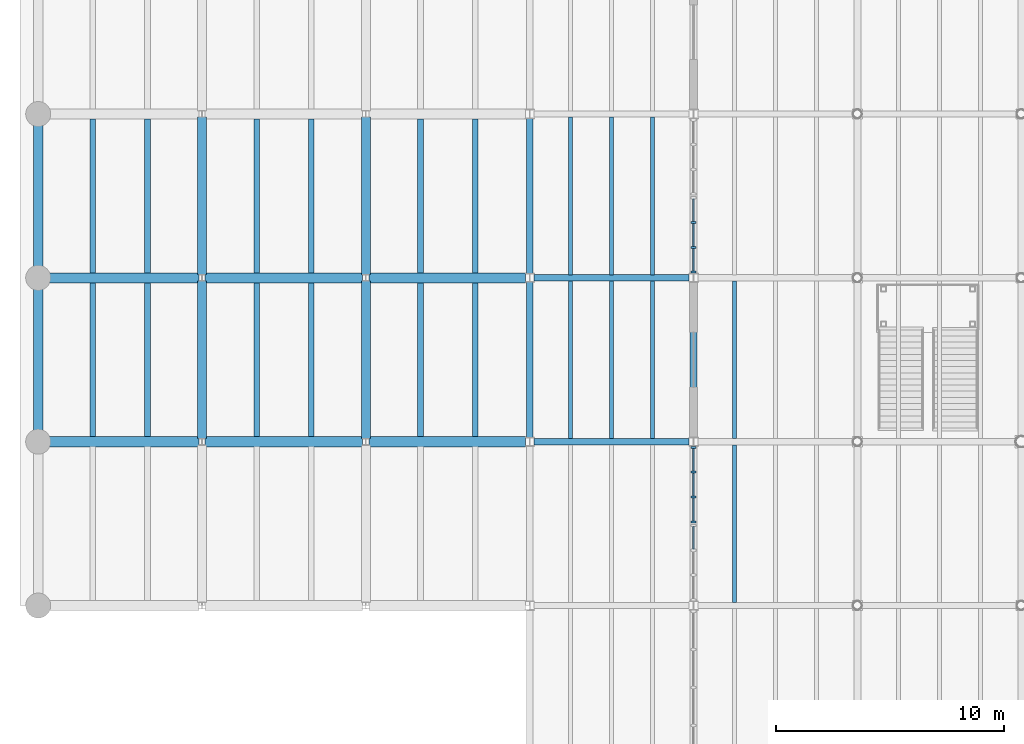
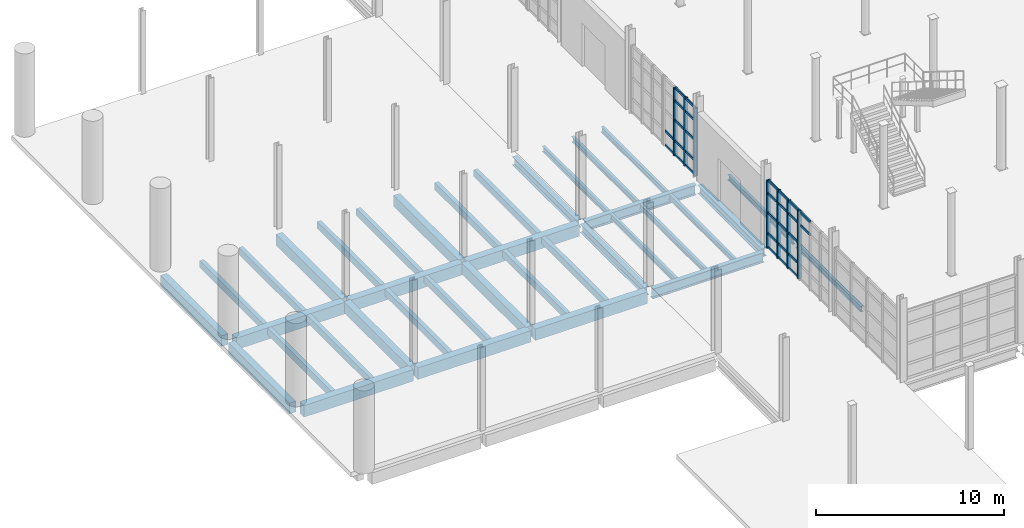
# One storey, part 21 of 79: 37 beams, 36 members, 3 elements without a shape of their own.
"""IFC4 building model written with IfcOpenShell, lengths in metres."""

import ifcopenshell
import ifcopenshell.guid

model = None  # the IFC model being written
_history = None  # IfcOwnerHistory: only IFC2X3 demands one
_inside = {}  # id of a spatial element -> (the spatial element, [elements in it])
_under = {}  # id of a project, library or spatial element -> (it, [spatial elements below it])
_declared = {}  # id of a project -> (the project, [libraries it declares])
_typed = {}  # id of a type object -> (the type object, [elements of that type])
_made_of = {}  # id of a material, layer set ... -> (it, [elements and type objects made of it])


def new_model(schema):
    """Start an empty IFC model of exactly this schema.

    Asked for "IFC4X3", IfcOpenShell would pick the latest addendum, in which some entities
    have other attributes; the version numbers below select the first issue.
    IFC2X3 requires an IfcOwnerHistory on every rooted entity: one is made here for all.
    """
    global model, _history
    if schema == "IFC4X3":
        model = ifcopenshell.file(schema_version=(4, 3, 0, 0))
    else:
        model = ifcopenshell.file(schema=schema)
    _inside.clear()
    _under.clear()
    _declared.clear()
    _typed.clear()
    _made_of.clear()
    _history = None
    if model.schema == "IFC2X3":
        org = make("IfcOrganization", Name="unknown")
        user = make(
            "IfcPersonAndOrganization",
            ThePerson=make("IfcPerson", FamilyName="unknown"),
            TheOrganization=org,
        )
        app = make(
            "IfcApplication",
            ApplicationDeveloper=org,
            Version="unknown",
            ApplicationFullName="unknown",
            ApplicationIdentifier="unknown",
        )
        _history = make(
            "IfcOwnerHistory",
            OwningUser=user,
            OwningApplication=app,
            ChangeAction="ADDED",
            CreationDate=0,
        )
    return model


def make(cls, **values):
    """One entity of the class cls with the attributes given. An attribute that is None is left unset."""
    return model.create_entity(
        cls, **{name: value for name, value in values.items() if value is not None}
    )


def rooted(cls, **values):
    """An entity with a GlobalId (a new one), such as an element, a storey or a relation."""
    return make(cls, GlobalId=ifcopenshell.guid.new(), OwnerHistory=_history, **values)


def si_unit(unit_type, name, prefix=None):
    """IfcSIUnit, for example si_unit("LENGTHUNIT", "METRE", prefix="MILLI")."""
    return make("IfcSIUnit", UnitType=unit_type, Prefix=prefix, Name=name)


def assignment(units):
    """IfcUnitAssignment: the units of a project."""
    return None if units is None else make("IfcUnitAssignment", Units=units)


def point(xyz):
    """IfcCartesianPoint."""
    return None if xyz is None else make("IfcCartesianPoint", Coordinates=xyz)


def direction(xyz):
    """IfcDirection."""
    return None if xyz is None else make("IfcDirection", DirectionRatios=xyz)


def frame(location, z_axis=None, x_axis=None):
    """IfcAxis2Placement3D, a coordinate frame: its origin and axes. An axis left out is left unset."""
    return make(
        "IfcAxis2Placement3D",
        Location=point(location),
        Axis=direction(z_axis),
        RefDirection=direction(x_axis),
    )


def frame_2d(location, x_axis=None):
    """IfcAxis2Placement2D, a coordinate frame in the plane: its origin and x axis."""
    return make(
        "IfcAxis2Placement2D", Location=point(location), RefDirection=direction(x_axis)
    )


def origin():
    """The frame at (0, 0, 0) with its axes left unset."""
    return frame((0.0, 0.0, 0.0))


def origin_2d():
    """The frame at (0, 0) in the plane with its x axis left unset."""
    return frame_2d((0.0, 0.0))


def place(relative_to, where):
    """IfcLocalPlacement: puts the frame where relative to a parent placement (None: the world)."""
    return make(
        "IfcLocalPlacement", PlacementRelTo=relative_to, RelativePlacement=where
    )


def context(
    kind, dimensions, precision=None, world=None, true_north=None, identifier=None
):
    """IfcGeometricRepresentationContext, for example the 3D "Model" context."""
    return make(
        "IfcGeometricRepresentationContext",
        ContextIdentifier=identifier,
        ContextType=kind,
        CoordinateSpaceDimension=dimensions,
        Precision=precision,
        WorldCoordinateSystem=world,
        TrueNorth=true_north,
    )


def subcontext(parent, identifier, kind, view, scale=None):
    """IfcGeometricRepresentationSubContext, for example "Body" below "Model"."""
    return make(
        "IfcGeometricRepresentationSubContext",
        ContextIdentifier=identifier,
        ContextType=kind,
        ParentContext=parent,
        TargetScale=scale,
        TargetView=view,
    )


def project(units=None, contexts=None):
    """IfcProject with its units and contexts."""
    return rooted(
        "IfcProject",
        Name="project",
        RepresentationContexts=contexts,
        UnitsInContext=assignment(units),
    )


def spatial(cls, under=None, at=None, **own):
    """A site, building, storey or space (cls), placed at a placement, below another one or the project."""
    s = rooted(cls, ObjectPlacement=at, **own)
    if under is not None:
        _under.setdefault(under.id(), (under, []))[1].append(s)
    return s


def profile(cls, at=None, kind="AREA", **sizes):
    """A parametric profile (cls). Its sizes go by their IFC names, for example OverallWidth=200.0."""
    return make(cls, ProfileType=kind, Position=at, **sizes)


def rectangle(**sizes):
    """IfcRectangleProfileDef."""
    return profile("IfcRectangleProfileDef", **sizes)


def i_section(**sizes):
    """IfcIShapeProfileDef."""
    return profile("IfcIShapeProfileDef", **sizes)


def extrude(swept, where, along, depth):
    """IfcExtrudedAreaSolid: the profile swept, set in the frame where, extruded along a direction by depth."""
    return make(
        "IfcExtrudedAreaSolid",
        SweptArea=swept,
        Position=where,
        ExtrudedDirection=direction(along),
        Depth=depth,
    )


def shape(context_of_items, identifier, shape_type, items):
    """IfcShapeRepresentation: the items that make up one representation, for example the "Body"."""
    return make(
        "IfcShapeRepresentation",
        ContextOfItems=context_of_items,
        RepresentationIdentifier=identifier,
        RepresentationType=shape_type,
        Items=items,
    )


def material(Name=None, Category=None):
    """IfcMaterial."""
    return make("IfcMaterial", Name=Name, Category=Category)


def material_profile(
    of_material, cross_section, Name=None, Category=None, Priority=None
):
    """IfcMaterialProfile: a cross section and its material."""
    return make(
        "IfcMaterialProfile",
        Name=Name,
        Material=of_material,
        Profile=cross_section,
        Priority=Priority,
        Category=Category,
    )


def profile_set(profiles, Name=None, composite=None):
    """IfcMaterialProfileSet."""
    return make(
        "IfcMaterialProfileSet",
        Name=Name,
        MaterialProfiles=profiles,
        CompositeProfile=composite,
    )


def made_of(thing, what):
    """Note that an element or type object is made of a material, layer set ...; save() writes the relation."""
    if what is not None:
        _made_of.setdefault(what.id(), (what, []))[1].append(thing)
    return thing


def type_object(cls, material=None, **own):
    """A type object (cls), such as IfcWallType, which elements share."""
    return made_of(rooted(cls, **own), material)


def element(
    cls,
    number,
    at=None,
    inside=None,
    cuts=None,
    type_object=None,
    material=None,
    context=None,
    identifier="Body",
    shape_type=None,
    held_by="IfcProductDefinitionShape",
    body=None,
    shapes=None,
    **own,
):
    """One element of the class cls, such as IfcWall. Its Tag is "e" and its number.

    at: its placement. inside: the storey or other place that contains it. cuts: it is an
    opening in that element (IfcRelVoidsElement). A single representation is given by context,
    identifier, shape_type and body (its items); several are given by shapes. held_by: the class
    of the entity that holds the representations. save() writes the other relations.
    """
    e = rooted(cls, Tag="e%d" % number, ObjectPlacement=at, **own)
    if body is not None:
        shapes = [shape(context, identifier, shape_type, body)]
    if shapes is not None:
        e.Representation = make(held_by, Representations=shapes)
    if inside is not None:
        _inside.setdefault(inside.id(), (inside, []))[1].append(e)
    if cuts is not None:
        rooted(
            "IfcRelVoidsElement", RelatingBuildingElement=cuts, RelatedOpeningElement=e
        )
    if type_object is not None:
        _typed.setdefault(type_object.id(), (type_object, []))[1].append(e)
    return made_of(e, material)


def aggregate(whole, parts):
    """IfcRelAggregates: a whole, such as a stair, and the parts it consists of."""
    return rooted("IfcRelAggregates", RelatingObject=whole, RelatedObjects=parts)


def save(model, path):
    """Write the relations noted so far, then the file.

    IfcRelAggregates (storeys below a building ...), IfcRelContainedInSpatialStructure (elements
    in a storey), IfcRelDefinesByType, IfcRelAssociatesMaterial and IfcRelDeclares: one each for
    every whole, place, type object, material and project.
    """
    for whole, parts in _under.values():
        aggregate(whole, parts)
    for where, things in _inside.values():
        rooted(
            "IfcRelContainedInSpatialStructure",
            RelatedElements=things,
            RelatingStructure=where,
        )
    for kind, things in _typed.values():
        rooted("IfcRelDefinesByType", RelatedObjects=things, RelatingType=kind)
    for what, things in _made_of.values():
        rooted("IfcRelAssociatesMaterial", RelatedObjects=things, RelatingMaterial=what)
    for by, libraries in _declared.values():
        rooted("IfcRelDeclares", RelatingContext=by, RelatedDefinitions=libraries)
    model.write(path)


model = new_model("IFC4")

# Units and contexts
model_context = context("Model", 3, precision=1e-05, world=origin(), true_north=direction((0.0, 1.0)))
body_context = subcontext(model_context, "Body", "Model", "MODEL_VIEW")
ifc_project = project(units=[si_unit("LENGTHUNIT", "METRE"), si_unit("AREAUNIT", "SQUARE_METRE"), si_unit("VOLUMEUNIT", "CUBIC_METRE"), si_unit("PLANEANGLEUNIT", "RADIAN"), si_unit("MASSUNIT", "GRAM", prefix="KILO")], contexts=[model_context])

# Site, building, storey
site_placement = place(None, origin())
site = spatial("IfcSite", under=ifc_project, at=site_placement, CompositionType="ELEMENT")
building_placement = place(site_placement, origin())
building = spatial("IfcBuilding", under=site, at=building_placement, Name="Qiaolan Assembly House", CompositionType="ELEMENT")
storey_placement = place(building_placement, origin())
storey = spatial("IfcBuildingStorey", under=building, at=storey_placement, Name="L00", CompositionType="ELEMENT", Elevation=0.0)

# Beams
ifc_material_1 = material(Name="Concrete C40/50", Category="concrete")
ifc_material_profile_1 = material_profile(ifc_material_1, rectangle(XDim=0.39990234375, YDim=0.699951171875, at=origin_2d()), Name="RCB 400x700")
ifc_profile_set_1 = profile_set([ifc_material_profile_1], Name="Concrete C40/50")
beam_type_1 = type_object("IfcBeamType", Name="BM-RC-400x700", PredefinedType="BEAM", material=ifc_profile_set_1)
beam_1_placement = place(storey_placement, frame((0.0, 50.764892578125, -0.64990234375), z_axis=(0.0, 1.0, 0.0), x_axis=(-1.0, 0.0, 0.0)))
element("IfcBeam", 1, at=beam_1_placement, inside=storey, type_object=beam_type_1, Name="GB-05 beam BMY-PT0-L00-00-01", PredefinedType="BEAM", context=body_context, shape_type="SweptSolid", body=[
    extrude(rectangle(XDim=0.39990234375, YDim=0.699951171875, at=origin_2d()), origin(), (0.0, 0.0, 1.0), 6.47021484375),
])
beam_2_placement = place(storey_placement, frame((0.0, 57.965087890625, -0.64990234375), z_axis=(0.0, 1.0, 0.0), x_axis=(-1.0, 0.0, 0.0)))
element("IfcBeam", 2, at=beam_2_placement, inside=storey, type_object=beam_type_1, Name="GB-05 beam BMY-PT0-L00-00-02", PredefinedType="BEAM", context=body_context, shape_type="SweptSolid", body=[
    extrude(rectangle(XDim=0.39990234375, YDim=0.699951171875, at=origin_2d()), origin(), (0.0, 0.0, 1.0), 6.469970703125),
])
for number, where, z_axis, x_axis, name in (
    (3, (7.199951171875, 50.5400390625, -0.64990234375), (0.0, 1.0, 0.0), (-1.0, 0.0, 0.0), "GB-05 beam BMY-PT0-L00-01-01"),
    (4, (7.199951171875, 57.739990234375, -0.64990234375), (0.0, 1.0, 0.0), (-1.0, 0.0, 0.0), "GB-05 beam BMY-PT0-L00-01-02"),
    (5, (14.39990234375, 50.5400390625, -0.64990234375), (0.0, 1.0, 0.0), (-1.0, 0.0, 0.0), "GB-05 beam BMY-PT0-L00-02-01"),
    (6, (14.39990234375, 57.739990234375, -0.64990234375), (0.0, 1.0, 0.0), (-1.0, 0.0, 0.0), "GB-05 beam BMY-PT0-L00-02-02"),
):
    element("IfcBeam", number, at=place(storey_placement, frame(where, z_axis=z_axis, x_axis=x_axis)), inside=storey, type_object=beam_type_1, Name=name, PredefinedType="BEAM", context=body_context, shape_type="SweptSolid", body=[
        extrude(rectangle(XDim=0.39990234375, YDim=0.699951171875, at=origin_2d()), origin(), (0.0, 0.0, 1.0), 6.919921875),
    ])
ifc_material_profile_2 = material_profile(ifc_material_1, rectangle(XDim=0.449951171875, YDim=0.75, at=origin_2d()), Name="RCB 450x750")
ifc_profile_set_2 = profile_set([ifc_material_profile_2], Name="Concrete C40/50")
beam_type_2 = type_object("IfcBeamType", Name="BM-RC-450x750", PredefinedType="BEAM", material=ifc_profile_set_2)
beam_3_placement = place(storey_placement, frame((0.364990234375, 50.39990234375, -0.675048828125), z_axis=(1.0, 0.0, 0.0), x_axis=(0.0, 1.0, 0.0)))
element("IfcBeam", 7, at=beam_3_placement, inside=storey, type_object=beam_type_2, Name="GB-04 beam BMX-PT0-L00-00-01", PredefinedType="BEAM", context=body_context, shape_type="SweptSolid", body=[
    extrude(rectangle(XDim=0.449951171875, YDim=0.75, at=origin_2d()), origin(), (0.0, 0.0, 1.0), 6.695068359375),
])
beam_4_placement = place(storey_placement, frame((7.340087890625, 50.39990234375, -0.675048828125), z_axis=(1.0, 0.0, 0.0), x_axis=(0.0, 1.0, 0.0)))
element("IfcBeam", 8, at=beam_4_placement, inside=storey, type_object=beam_type_2, Name="GB-04 beam BMX-PT0-L00-01-01", PredefinedType="BEAM", context=body_context, shape_type="SweptSolid", body=[
    extrude(rectangle(XDim=0.449951171875, YDim=0.75, at=origin_2d()), origin(), (0.0, 0.0, 1.0), 6.919921875),
])
beam_5_placement = place(storey_placement, frame((14.5400390625, 50.39990234375, -0.675048828125), z_axis=(1.0, 0.0, 0.0), x_axis=(0.0, 1.0, 0.0)))
element("IfcBeam", 9, at=beam_5_placement, inside=storey, type_object=beam_type_2, Name="GB-04 beam BMX-PT0-L00-02-01", PredefinedType="BEAM", context=body_context, shape_type="SweptSolid", body=[
    extrude(rectangle(XDim=0.449951171875, YDim=0.75, at=origin_2d()), origin(), (0.0, 0.0, 1.0), 6.869873046875),
])
beam_6_placement = place(storey_placement, frame((0.364990234375, 57.60009765625, -0.675048828125), z_axis=(1.0, 0.0, 0.0), x_axis=(0.0, 1.0, 0.0)))
element("IfcBeam", 10, at=beam_6_placement, inside=storey, type_object=beam_type_2, Name="GB-04 beam BMX-PT0-L00-00-02", PredefinedType="BEAM", context=body_context, shape_type="SweptSolid", body=[
    extrude(rectangle(XDim=0.449951171875, YDim=0.75, at=origin_2d()), origin(), (0.0, 0.0, 1.0), 6.695068359375),
])
beam_7_placement = place(storey_placement, frame((7.340087890625, 57.60009765625, -0.675048828125), z_axis=(1.0, 0.0, 0.0), x_axis=(0.0, 1.0, 0.0)))
element("IfcBeam", 11, at=beam_7_placement, inside=storey, type_object=beam_type_2, Name="GB-04 beam BMX-PT0-L00-01-02", PredefinedType="BEAM", context=body_context, shape_type="SweptSolid", body=[
    extrude(rectangle(XDim=0.449951171875, YDim=0.75, at=origin_2d()), origin(), (0.0, 0.0, 1.0), 6.919921875),
])
beam_8_placement = place(storey_placement, frame((14.5400390625, 57.60009765625, -0.675048828125), z_axis=(1.0, 0.0, 0.0), x_axis=(0.0, 1.0, 0.0)))
element("IfcBeam", 12, at=beam_8_placement, inside=storey, type_object=beam_type_2, Name="GB-04 beam BMX-PT0-L00-02-02", PredefinedType="BEAM", context=body_context, shape_type="SweptSolid", body=[
    extrude(rectangle(XDim=0.449951171875, YDim=0.75, at=origin_2d()), origin(), (0.0, 0.0, 1.0), 6.869873046875),
])
ifc_material_2 = material(Name="Steel Q355B", Category="steel")
ifc_material_profile_3 = material_profile(ifc_material_2, i_section(OverallWidth=0.300048828125, OverallDepth=0.5400390625, WebThickness=0.010986328125, FlangeThickness=0.01806640625, FilletRadius=0.02001953125, at=origin_2d()), Name="HM 540x300x11x18")
ifc_profile_set_3 = profile_set([ifc_material_profile_3], Name="Steel Q355B")
beam_type_3 = type_object("IfcBeamType", Name="BM-STL-HM540", PredefinedType="BEAM", material=ifc_profile_set_3)
beam_9_placement = place(storey_placement, frame((21.60009765625, 50.590087890625, -0.570068359375), z_axis=(0.0, 1.0, 0.0), x_axis=(-1.0, 0.0, 0.0)))
element("IfcBeam", 13, at=beam_9_placement, inside=storey, type_object=beam_type_3, Name="SB-12 beam BMY-HL-L00-00-02", PredefinedType="BEAM", context=body_context, shape_type="SweptSolid", body=[
    extrude(i_section(OverallWidth=0.300048828125, OverallDepth=0.5400390625, WebThickness=0.010986328125, FlangeThickness=0.01806640625, FilletRadius=0.02001953125, at=origin_2d()), origin(), (0.0, 0.0, 1.0), 6.81982421875),
])
beam_10_placement = place(storey_placement, frame((21.60009765625, 57.7900390625, -0.570068359375), z_axis=(0.0, 1.0, 0.0), x_axis=(-1.0, 0.0, 0.0)))
element("IfcBeam", 14, at=beam_10_placement, inside=storey, type_object=beam_type_3, Name="SB-12 beam BMY-HL-L00-00-03", PredefinedType="BEAM", context=body_context, shape_type="SweptSolid", body=[
    extrude(i_section(OverallWidth=0.300048828125, OverallDepth=0.5400390625, WebThickness=0.010986328125, FlangeThickness=0.01806640625, FilletRadius=0.02001953125, at=origin_2d()), origin(), (0.0, 0.0, 1.0), 6.820068359375),
])
beam_11_placement = place(storey_placement, frame((28.800048828125, 50.590087890625, -0.570068359375), z_axis=(0.0, 1.0, 0.0), x_axis=(-1.0, 0.0, 0.0)))
element("IfcBeam", 15, at=beam_11_placement, inside=storey, type_object=beam_type_3, Name="SB-12 beam BMY-HL-L00-01-02", PredefinedType="BEAM", context=body_context, shape_type="SweptSolid", body=[
    extrude(i_section(OverallWidth=0.300048828125, OverallDepth=0.5400390625, WebThickness=0.010986328125, FlangeThickness=0.01806640625, FilletRadius=0.02001953125, at=origin_2d()), origin(), (0.0, 0.0, 1.0), 6.81982421875),
])
ifc_material_profile_4 = material_profile(ifc_material_2, i_section(OverallWidth=0.280029296875, OverallDepth=0.64990234375, WebThickness=0.011962890625, FlangeThickness=0.02197265625, FilletRadius=0.02197265625, at=origin_2d()), Name="HN 650x280x12x22")
ifc_profile_set_4 = profile_set([ifc_material_profile_4], Name="Steel Q355B")
beam_type_4 = type_object("IfcBeamType", Name="BM-STL-HN650", PredefinedType="BEAM", material=ifc_profile_set_4)
for number, where, z_axis, x_axis, name in (
    (16, (21.7900390625, 50.39990234375, -0.625), (1.0, 0.0, 0.0), (0.0, 1.0, 0.0), "SB-10 beam BMX-HL-L00-00-02"),
    (17, (21.7900390625, 57.60009765625, -0.625), (1.0, 0.0, 0.0), (0.0, 1.0, 0.0), "SB-10 beam BMX-HL-L00-00-03"),
):
    element("IfcBeam", number, at=place(storey_placement, frame(where, z_axis=z_axis, x_axis=x_axis)), inside=storey, type_object=beam_type_4, Name=name, PredefinedType="BEAM", context=body_context, shape_type="SweptSolid", body=[
        extrude(i_section(OverallWidth=0.280029296875, OverallDepth=0.64990234375, WebThickness=0.011962890625, FlangeThickness=0.02197265625, FilletRadius=0.02197265625, at=origin_2d()), origin(), (0.0, 0.0, 1.0), 6.820068359375),
    ])

# Curtain wall, members
ifc_material_3 = material(Name="Anodised bronze aluminium", Category="aluminium")
curtain_wall_type = type_object("IfcCurtainWallType", Name="CW-HALL-MAIN-540", PredefinedType="NOTDEFINED", material=ifc_material_3)
curtain_wall_1_placement = place(storey_placement, origin())
curtain_wall_1 = element("IfcCurtainWall", 18, at=curtain_wall_1_placement, inside=storey, type_object=curtain_wall_type, Name="CW-01 Hall West facade L00-1B", PredefinedType="NOTDEFINED")
ifc_material_profile_5 = material_profile(ifc_material_3, rectangle(XDim=0.092041015625, YDim=0.219970703125, at=origin_2d()), Name="MUL 92x220")
ifc_profile_set_5 = profile_set([ifc_material_profile_5], Name="Anodised bronze aluminium")
member_type_1 = type_object("IfcMemberType", Name="CW-HALL-MAIN-540-MUL", PredefinedType="MULLION", material=ifc_profile_set_5)
member_1_placement = place(storey_placement, frame((28.800048828125, 46.8798828125, 0.0), z_axis=(0.0, 0.0, 1.0), x_axis=(0.0, 1.0, 0.0)))
member_1 = element("IfcMember", 19, at=member_1_placement, type_object=member_type_1, Name="ML-01 mullion CW-HALL-W-L00-1B-1", PredefinedType="MULLION", context=body_context, shape_type="SweptSolid", body=[
    extrude(rectangle(XDim=0.092041015625, YDim=0.219970703125, at=origin_2d()), origin(), (0.0, 0.0, 1.0), 4.39990234375),
])
member_2_placement = place(storey_placement, frame((28.800048828125, 47.969970703125, 0.0), z_axis=(0.0, 0.0, 1.0), x_axis=(0.0, 1.0, 0.0)))
member_2 = element("IfcMember", 20, at=member_2_placement, type_object=member_type_1, Name="ML-01 mullion CW-HALL-W-L00-1B-2", PredefinedType="MULLION", context=body_context, shape_type="SweptSolid", body=[
    extrude(rectangle(XDim=0.092041015625, YDim=0.219970703125, at=origin_2d()), origin(), (0.0, 0.0, 1.0), 4.39990234375),
])
member_3_placement = place(storey_placement, frame((28.800048828125, 49.06005859375, 0.0), z_axis=(0.0, 0.0, 1.0), x_axis=(0.0, 1.0, 0.0)))
member_3 = element("IfcMember", 21, at=member_3_placement, type_object=member_type_1, Name="ML-01 mullion CW-HALL-W-L00-1B-3", PredefinedType="MULLION", context=body_context, shape_type="SweptSolid", body=[
    extrude(rectangle(XDim=0.092041015625, YDim=0.219970703125, at=origin_2d()), origin(), (0.0, 0.0, 1.0), 4.39990234375),
])
member_4_placement = place(storey_placement, frame((28.800048828125, 50.14990234375, 0.0), z_axis=(0.0, 0.0, 1.0), x_axis=(0.0, 1.0, 0.0)))
member_4 = element("IfcMember", 22, at=member_4_placement, type_object=member_type_1, Name="ML-01 mullion CW-HALL-W-L00-1B-4", PredefinedType="MULLION", context=body_context, shape_type="SweptSolid", body=[
    extrude(rectangle(XDim=0.092041015625, YDim=0.219970703125, at=origin_2d()), origin(), (0.0, 0.0, 1.0), 4.39990234375),
])

curtain_wall_2_placement = place(storey_placement, origin())
curtain_wall_2 = element("IfcCurtainWall", 23, at=curtain_wall_2_placement, inside=storey, type_object=curtain_wall_type, Name="CW-01 Hall West facade L00-3A", PredefinedType="NOTDEFINED")
member_5_placement = place(storey_placement, frame((28.800048828125, 57.85009765625, 0.0), z_axis=(0.0, 0.0, 1.0), x_axis=(0.0, 1.0, 0.0)))
member_5 = element("IfcMember", 24, at=member_5_placement, type_object=member_type_1, Name="ML-01 mullion CW-HALL-W-L00-3A-1", PredefinedType="MULLION", context=body_context, shape_type="SweptSolid", body=[
    extrude(rectangle(XDim=0.092041015625, YDim=0.219970703125, at=origin_2d()), origin(), (0.0, 0.0, 1.0), 4.39990234375),
])
member_6_placement = place(storey_placement, frame((28.800048828125, 58.93994140625, 0.0), z_axis=(0.0, 0.0, 1.0), x_axis=(0.0, 1.0, 0.0)))
member_6 = element("IfcMember", 25, at=member_6_placement, type_object=member_type_1, Name="ML-01 mullion CW-HALL-W-L00-3A-2", PredefinedType="MULLION", context=body_context, shape_type="SweptSolid", body=[
    extrude(rectangle(XDim=0.092041015625, YDim=0.219970703125, at=origin_2d()), origin(), (0.0, 0.0, 1.0), 4.39990234375),
])
member_7_placement = place(storey_placement, frame((28.800048828125, 60.030029296875, 0.0), z_axis=(0.0, 0.0, 1.0), x_axis=(0.0, 1.0, 0.0)))
member_7 = element("IfcMember", 26, at=member_7_placement, type_object=member_type_1, Name="ML-01 mullion CW-HALL-W-L00-3A-3", PredefinedType="MULLION", context=body_context, shape_type="SweptSolid", body=[
    extrude(rectangle(XDim=0.092041015625, YDim=0.219970703125, at=origin_2d()), origin(), (0.0, 0.0, 1.0), 4.39990234375),
])

curtain_wall_3_placement = place(storey_placement, origin())
curtain_wall_3 = element("IfcCurtainWall", 27, at=curtain_wall_3_placement, inside=storey, type_object=curtain_wall_type, Name="CW-01 Hall West facade L00-1A", PredefinedType="NOTDEFINED")
ifc_material_profile_6 = material_profile(ifc_material_3, rectangle(XDim=0.08203125, YDim=0.159912109375, at=origin_2d()), Name="TRN 82x160")
ifc_profile_set_6 = profile_set([ifc_material_profile_6], Name="Anodised bronze aluminium")
member_type_2 = type_object("IfcMemberType", Name="CW-HALL-MAIN-540-TRN", PredefinedType="USERDEFINED", material=ifc_profile_set_6)
member_8_placement = place(storey_placement, frame((28.800048828125, 45.676025390625, 3.550048828125), z_axis=(0.0, 1.0, 0.0), x_axis=(-1.0, 0.0, 0.0)))
member_8 = element("IfcMember", 28, at=member_8_placement, type_object=member_type_2, Name="TR-01 transom CW-HALL-W-L00-1A-3-4", ObjectType="TRANSOM", PredefinedType="USERDEFINED", context=body_context, shape_type="SweptSolid", body=[
    extrude(rectangle(XDim=0.08203125, YDim=0.159912109375, at=origin_2d()), origin(), (0.0, 0.0, 1.0), 0.998046875),
])
member_9_placement = place(storey_placement, frame((28.800048828125, 45.676025390625, 4.3701171875), z_axis=(0.0, 1.0, 0.0), x_axis=(-1.0, 0.0, 0.0)))
member_9 = element("IfcMember", 29, at=member_9_placement, type_object=member_type_2, Name="TR-01 transom CW-HALL-W-L00-1A-3-5", ObjectType="TRANSOM", PredefinedType="USERDEFINED", context=body_context, shape_type="SweptSolid", body=[
    extrude(rectangle(XDim=0.08203125, YDim=0.159912109375, at=origin_2d()), origin(), (0.0, 0.0, 1.0), 0.998046875),
])
aggregate(curtain_wall_3, [member_8, member_9])

# Member
member_10_placement = place(storey_placement, frame((28.800048828125, 46.926025390625, 0.030029296875), z_axis=(0.0, 1.0, 0.0), x_axis=(-1.0, 0.0, 0.0)))
member_10 = element("IfcMember", 30, at=member_10_placement, type_object=member_type_2, Name="TR-01 transom CW-HALL-W-L00-1B-1-1", ObjectType="TRANSOM", PredefinedType="USERDEFINED", context=body_context, shape_type="SweptSolid", body=[
    extrude(rectangle(XDim=0.08203125, YDim=0.159912109375, at=origin_2d()), origin(), (0.0, 0.0, 1.0), 0.998046875),
])

member_11_placement = place(storey_placement, frame((28.800048828125, 46.926025390625, 0.949951171875), z_axis=(0.0, 1.0, 0.0), x_axis=(-1.0, 0.0, 0.0)))
member_11 = element("IfcMember", 31, at=member_11_placement, type_object=member_type_2, Name="TR-01 transom CW-HALL-W-L00-1B-1-2", ObjectType="TRANSOM", PredefinedType="USERDEFINED", context=body_context, shape_type="SweptSolid", body=[
    extrude(rectangle(XDim=0.08203125, YDim=0.159912109375, at=origin_2d()), origin(), (0.0, 0.0, 1.0), 0.998046875),
])

member_12_placement = place(storey_placement, frame((28.800048828125, 46.926025390625, 2.2880859375), z_axis=(0.0, 1.0, 0.0), x_axis=(-1.0, 0.0, 0.0)))
member_12 = element("IfcMember", 32, at=member_12_placement, type_object=member_type_2, Name="TR-01 transom CW-HALL-W-L00-1B-1-3", ObjectType="TRANSOM", PredefinedType="USERDEFINED", context=body_context, shape_type="SweptSolid", body=[
    extrude(rectangle(XDim=0.08203125, YDim=0.159912109375, at=origin_2d()), origin(), (0.0, 0.0, 1.0), 0.998046875),
])

member_13_placement = place(storey_placement, frame((28.800048828125, 46.926025390625, 3.550048828125), z_axis=(0.0, 1.0, 0.0), x_axis=(-1.0, 0.0, 0.0)))
member_13 = element("IfcMember", 33, at=member_13_placement, type_object=member_type_2, Name="TR-01 transom CW-HALL-W-L00-1B-1-4", ObjectType="TRANSOM", PredefinedType="USERDEFINED", context=body_context, shape_type="SweptSolid", body=[
    extrude(rectangle(XDim=0.08203125, YDim=0.159912109375, at=origin_2d()), origin(), (0.0, 0.0, 1.0), 0.998046875),
])

member_14_placement = place(storey_placement, frame((28.800048828125, 46.926025390625, 4.3701171875), z_axis=(0.0, 1.0, 0.0), x_axis=(-1.0, 0.0, 0.0)))
member_14 = element("IfcMember", 34, at=member_14_placement, type_object=member_type_2, Name="TR-01 transom CW-HALL-W-L00-1B-1-5", ObjectType="TRANSOM", PredefinedType="USERDEFINED", context=body_context, shape_type="SweptSolid", body=[
    extrude(rectangle(XDim=0.08203125, YDim=0.159912109375, at=origin_2d()), origin(), (0.0, 0.0, 1.0), 0.998046875),
])

member_15_placement = place(storey_placement, frame((28.800048828125, 48.01611328125, 0.030029296875), z_axis=(0.0, 1.0, 0.0), x_axis=(-1.0, 0.0, 0.0)))
member_15 = element("IfcMember", 35, at=member_15_placement, type_object=member_type_2, Name="TR-01 transom CW-HALL-W-L00-1B-2-1", ObjectType="TRANSOM", PredefinedType="USERDEFINED", context=body_context, shape_type="SweptSolid", body=[
    extrude(rectangle(XDim=0.08203125, YDim=0.159912109375, at=origin_2d()), origin(), (0.0, 0.0, 1.0), 0.997802734375),
])

member_16_placement = place(storey_placement, frame((28.800048828125, 48.01611328125, 0.949951171875), z_axis=(0.0, 1.0, 0.0), x_axis=(-1.0, 0.0, 0.0)))
member_16 = element("IfcMember", 36, at=member_16_placement, type_object=member_type_2, Name="TR-01 transom CW-HALL-W-L00-1B-2-2", ObjectType="TRANSOM", PredefinedType="USERDEFINED", context=body_context, shape_type="SweptSolid", body=[
    extrude(rectangle(XDim=0.08203125, YDim=0.159912109375, at=origin_2d()), origin(), (0.0, 0.0, 1.0), 0.997802734375),
])

member_17_placement = place(storey_placement, frame((28.800048828125, 48.01611328125, 2.2880859375), z_axis=(0.0, 1.0, 0.0), x_axis=(-1.0, 0.0, 0.0)))
member_17 = element("IfcMember", 37, at=member_17_placement, type_object=member_type_2, Name="TR-01 transom CW-HALL-W-L00-1B-2-3", ObjectType="TRANSOM", PredefinedType="USERDEFINED", context=body_context, shape_type="SweptSolid", body=[
    extrude(rectangle(XDim=0.08203125, YDim=0.159912109375, at=origin_2d()), origin(), (0.0, 0.0, 1.0), 0.997802734375),
])

member_18_placement = place(storey_placement, frame((28.800048828125, 48.01611328125, 3.550048828125), z_axis=(0.0, 1.0, 0.0), x_axis=(-1.0, 0.0, 0.0)))
member_18 = element("IfcMember", 38, at=member_18_placement, type_object=member_type_2, Name="TR-01 transom CW-HALL-W-L00-1B-2-4", ObjectType="TRANSOM", PredefinedType="USERDEFINED", context=body_context, shape_type="SweptSolid", body=[
    extrude(rectangle(XDim=0.08203125, YDim=0.159912109375, at=origin_2d()), origin(), (0.0, 0.0, 1.0), 0.997802734375),
])

member_19_placement = place(storey_placement, frame((28.800048828125, 48.01611328125, 4.3701171875), z_axis=(0.0, 1.0, 0.0), x_axis=(-1.0, 0.0, 0.0)))
member_19 = element("IfcMember", 39, at=member_19_placement, type_object=member_type_2, Name="TR-01 transom CW-HALL-W-L00-1B-2-5", ObjectType="TRANSOM", PredefinedType="USERDEFINED", context=body_context, shape_type="SweptSolid", body=[
    extrude(rectangle(XDim=0.08203125, YDim=0.159912109375, at=origin_2d()), origin(), (0.0, 0.0, 1.0), 0.997802734375),
])

member_20_placement = place(storey_placement, frame((28.800048828125, 49.10595703125, 0.030029296875), z_axis=(0.0, 1.0, 0.0), x_axis=(-1.0, 0.0, 0.0)))
member_20 = element("IfcMember", 40, at=member_20_placement, type_object=member_type_2, Name="TR-01 transom CW-HALL-W-L00-1B-3-1", ObjectType="TRANSOM", PredefinedType="USERDEFINED", context=body_context, shape_type="SweptSolid", body=[
    extrude(rectangle(XDim=0.08203125, YDim=0.159912109375, at=origin_2d()), origin(), (0.0, 0.0, 1.0), 0.998046875),
])

member_21_placement = place(storey_placement, frame((28.800048828125, 49.10595703125, 0.949951171875), z_axis=(0.0, 1.0, 0.0), x_axis=(-1.0, 0.0, 0.0)))
member_21 = element("IfcMember", 41, at=member_21_placement, type_object=member_type_2, Name="TR-01 transom CW-HALL-W-L00-1B-3-2", ObjectType="TRANSOM", PredefinedType="USERDEFINED", context=body_context, shape_type="SweptSolid", body=[
    extrude(rectangle(XDim=0.08203125, YDim=0.159912109375, at=origin_2d()), origin(), (0.0, 0.0, 1.0), 0.998046875),
])

member_22_placement = place(storey_placement, frame((28.800048828125, 49.10595703125, 2.2880859375), z_axis=(0.0, 1.0, 0.0), x_axis=(-1.0, 0.0, 0.0)))
member_22 = element("IfcMember", 42, at=member_22_placement, type_object=member_type_2, Name="TR-01 transom CW-HALL-W-L00-1B-3-3", ObjectType="TRANSOM", PredefinedType="USERDEFINED", context=body_context, shape_type="SweptSolid", body=[
    extrude(rectangle(XDim=0.08203125, YDim=0.159912109375, at=origin_2d()), origin(), (0.0, 0.0, 1.0), 0.998046875),
])

member_23_placement = place(storey_placement, frame((28.800048828125, 49.10595703125, 3.550048828125), z_axis=(0.0, 1.0, 0.0), x_axis=(-1.0, 0.0, 0.0)))
member_23 = element("IfcMember", 43, at=member_23_placement, type_object=member_type_2, Name="TR-01 transom CW-HALL-W-L00-1B-3-4", ObjectType="TRANSOM", PredefinedType="USERDEFINED", context=body_context, shape_type="SweptSolid", body=[
    extrude(rectangle(XDim=0.08203125, YDim=0.159912109375, at=origin_2d()), origin(), (0.0, 0.0, 1.0), 0.998046875),
])

member_24_placement = place(storey_placement, frame((28.800048828125, 49.10595703125, 4.3701171875), z_axis=(0.0, 1.0, 0.0), x_axis=(-1.0, 0.0, 0.0)))
member_24 = element("IfcMember", 44, at=member_24_placement, type_object=member_type_2, Name="TR-01 transom CW-HALL-W-L00-1B-3-5", ObjectType="TRANSOM", PredefinedType="USERDEFINED", context=body_context, shape_type="SweptSolid", body=[
    extrude(rectangle(XDim=0.08203125, YDim=0.159912109375, at=origin_2d()), origin(), (0.0, 0.0, 1.0), 0.998046875),
])

aggregate(curtain_wall_1, [member_1, member_2, member_3, member_4, member_10, member_11, member_12, member_13, member_14, member_15, member_16, member_17, member_18, member_19, member_20, member_21, member_22, member_23, member_24])

member_25_placement = place(storey_placement, frame((28.800048828125, 57.89599609375, 0.030029296875), z_axis=(0.0, 1.0, 0.0), x_axis=(-1.0, 0.0, 0.0)))
member_25 = element("IfcMember", 45, at=member_25_placement, type_object=member_type_2, Name="TR-01 transom CW-HALL-W-L00-3A-1-1", ObjectType="TRANSOM", PredefinedType="USERDEFINED", context=body_context, shape_type="SweptSolid", body=[
    extrude(rectangle(XDim=0.08203125, YDim=0.159912109375, at=origin_2d()), origin(), (0.0, 0.0, 1.0), 0.998046875),
])

member_26_placement = place(storey_placement, frame((28.800048828125, 57.89599609375, 0.949951171875), z_axis=(0.0, 1.0, 0.0), x_axis=(-1.0, 0.0, 0.0)))
member_26 = element("IfcMember", 46, at=member_26_placement, type_object=member_type_2, Name="TR-01 transom CW-HALL-W-L00-3A-1-2", ObjectType="TRANSOM", PredefinedType="USERDEFINED", context=body_context, shape_type="SweptSolid", body=[
    extrude(rectangle(XDim=0.08203125, YDim=0.159912109375, at=origin_2d()), origin(), (0.0, 0.0, 1.0), 0.998046875),
])

member_27_placement = place(storey_placement, frame((28.800048828125, 57.89599609375, 2.2880859375), z_axis=(0.0, 1.0, 0.0), x_axis=(-1.0, 0.0, 0.0)))
member_27 = element("IfcMember", 47, at=member_27_placement, type_object=member_type_2, Name="TR-01 transom CW-HALL-W-L00-3A-1-3", ObjectType="TRANSOM", PredefinedType="USERDEFINED", context=body_context, shape_type="SweptSolid", body=[
    extrude(rectangle(XDim=0.08203125, YDim=0.159912109375, at=origin_2d()), origin(), (0.0, 0.0, 1.0), 0.998046875),
])

member_28_placement = place(storey_placement, frame((28.800048828125, 57.89599609375, 3.550048828125), z_axis=(0.0, 1.0, 0.0), x_axis=(-1.0, 0.0, 0.0)))
member_28 = element("IfcMember", 48, at=member_28_placement, type_object=member_type_2, Name="TR-01 transom CW-HALL-W-L00-3A-1-4", ObjectType="TRANSOM", PredefinedType="USERDEFINED", context=body_context, shape_type="SweptSolid", body=[
    extrude(rectangle(XDim=0.08203125, YDim=0.159912109375, at=origin_2d()), origin(), (0.0, 0.0, 1.0), 0.998046875),
])

member_29_placement = place(storey_placement, frame((28.800048828125, 57.89599609375, 4.3701171875), z_axis=(0.0, 1.0, 0.0), x_axis=(-1.0, 0.0, 0.0)))
member_29 = element("IfcMember", 49, at=member_29_placement, type_object=member_type_2, Name="TR-01 transom CW-HALL-W-L00-3A-1-5", ObjectType="TRANSOM", PredefinedType="USERDEFINED", context=body_context, shape_type="SweptSolid", body=[
    extrude(rectangle(XDim=0.08203125, YDim=0.159912109375, at=origin_2d()), origin(), (0.0, 0.0, 1.0), 0.998046875),
])

member_30_placement = place(storey_placement, frame((28.800048828125, 58.986083984375, 0.030029296875), z_axis=(0.0, 1.0, 0.0), x_axis=(-1.0, 0.0, 0.0)))
member_30 = element("IfcMember", 50, at=member_30_placement, type_object=member_type_2, Name="TR-01 transom CW-HALL-W-L00-3A-2-1", ObjectType="TRANSOM", PredefinedType="USERDEFINED", context=body_context, shape_type="SweptSolid", body=[
    extrude(rectangle(XDim=0.08203125, YDim=0.159912109375, at=origin_2d()), origin(), (0.0, 0.0, 1.0), 0.997802734375),
])

member_31_placement = place(storey_placement, frame((28.800048828125, 58.986083984375, 0.949951171875), z_axis=(0.0, 1.0, 0.0), x_axis=(-1.0, 0.0, 0.0)))
member_31 = element("IfcMember", 51, at=member_31_placement, type_object=member_type_2, Name="TR-01 transom CW-HALL-W-L00-3A-2-2", ObjectType="TRANSOM", PredefinedType="USERDEFINED", context=body_context, shape_type="SweptSolid", body=[
    extrude(rectangle(XDim=0.08203125, YDim=0.159912109375, at=origin_2d()), origin(), (0.0, 0.0, 1.0), 0.997802734375),
])

member_32_placement = place(storey_placement, frame((28.800048828125, 58.986083984375, 2.2880859375), z_axis=(0.0, 1.0, 0.0), x_axis=(-1.0, 0.0, 0.0)))
member_32 = element("IfcMember", 52, at=member_32_placement, type_object=member_type_2, Name="TR-01 transom CW-HALL-W-L00-3A-2-3", ObjectType="TRANSOM", PredefinedType="USERDEFINED", context=body_context, shape_type="SweptSolid", body=[
    extrude(rectangle(XDim=0.08203125, YDim=0.159912109375, at=origin_2d()), origin(), (0.0, 0.0, 1.0), 0.997802734375),
])

member_33_placement = place(storey_placement, frame((28.800048828125, 58.986083984375, 3.550048828125), z_axis=(0.0, 1.0, 0.0), x_axis=(-1.0, 0.0, 0.0)))
member_33 = element("IfcMember", 53, at=member_33_placement, type_object=member_type_2, Name="TR-01 transom CW-HALL-W-L00-3A-2-4", ObjectType="TRANSOM", PredefinedType="USERDEFINED", context=body_context, shape_type="SweptSolid", body=[
    extrude(rectangle(XDim=0.08203125, YDim=0.159912109375, at=origin_2d()), origin(), (0.0, 0.0, 1.0), 0.997802734375),
])

member_34_placement = place(storey_placement, frame((28.800048828125, 58.986083984375, 4.3701171875), z_axis=(0.0, 1.0, 0.0), x_axis=(-1.0, 0.0, 0.0)))
member_34 = element("IfcMember", 54, at=member_34_placement, type_object=member_type_2, Name="TR-01 transom CW-HALL-W-L00-3A-2-5", ObjectType="TRANSOM", PredefinedType="USERDEFINED", context=body_context, shape_type="SweptSolid", body=[
    extrude(rectangle(XDim=0.08203125, YDim=0.159912109375, at=origin_2d()), origin(), (0.0, 0.0, 1.0), 0.997802734375),
])

member_35_placement = place(storey_placement, frame((28.800048828125, 60.075927734375, 0.030029296875), z_axis=(0.0, 1.0, 0.0), x_axis=(-1.0, 0.0, 0.0)))
member_35 = element("IfcMember", 55, at=member_35_placement, type_object=member_type_2, Name="TR-01 transom CW-HALL-W-L00-3A-3-1", ObjectType="TRANSOM", PredefinedType="USERDEFINED", context=body_context, shape_type="SweptSolid", body=[
    extrude(rectangle(XDim=0.08203125, YDim=0.159912109375, at=origin_2d()), origin(), (0.0, 0.0, 1.0), 0.998046875),
])

member_36_placement = place(storey_placement, frame((28.800048828125, 60.075927734375, 0.949951171875), z_axis=(0.0, 1.0, 0.0), x_axis=(-1.0, 0.0, 0.0)))
member_36 = element("IfcMember", 56, at=member_36_placement, type_object=member_type_2, Name="TR-01 transom CW-HALL-W-L00-3A-3-2", ObjectType="TRANSOM", PredefinedType="USERDEFINED", context=body_context, shape_type="SweptSolid", body=[
    extrude(rectangle(XDim=0.08203125, YDim=0.159912109375, at=origin_2d()), origin(), (0.0, 0.0, 1.0), 0.998046875),
])

aggregate(curtain_wall_2, [member_5, member_6, member_7, member_25, member_26, member_27, member_28, member_29, member_30, member_31, member_32, member_33, member_34, member_35, member_36])

# Beams
ifc_material_profile_7 = material_profile(ifc_material_1, rectangle(XDim=0.25, YDim=0.449951171875, at=origin_2d()), Name="RCB 250x450")
ifc_profile_set_7 = profile_set([ifc_material_profile_7], Name="Concrete C40/50")
beam_type_5 = type_object("IfcBeamType", Name="JST-RC-250x450", PredefinedType="JOIST", material=ifc_profile_set_7)
for number, where, z_axis, x_axis, name in (
    (57, (2.39990234375, 50.618896484375, -0.52490234375), (0.0, 1.0, 0.0), (-1.0, 0.0, 0.0), "RJ-02 beam JST-PT0-L00-00-01-1"),
    (58, (4.800048828125, 50.618896484375, -0.52490234375), (0.0, 1.0, 0.0), (-1.0, 0.0, 0.0), "RJ-02 beam JST-PT0-L00-00-01-2"),
):
    element("IfcBeam", number, at=place(storey_placement, frame(where, z_axis=z_axis, x_axis=x_axis)), inside=storey, type_object=beam_type_5, Name=name, PredefinedType="JOIST", context=body_context, shape_type="SweptSolid", body=[
        extrude(rectangle(XDim=0.25, YDim=0.449951171875, at=origin_2d()), origin(), (0.0, 0.0, 1.0), 6.76220703125),
    ])
for number, where, z_axis, x_axis, name in (
    (59, (2.39990234375, 57.819091796875, -0.52490234375), (0.0, 1.0, 0.0), (-1.0, 0.0, 0.0), "RJ-02 beam JST-PT0-L00-00-02-1"),
    (60, (4.800048828125, 57.819091796875, -0.52490234375), (0.0, 1.0, 0.0), (-1.0, 0.0, 0.0), "RJ-02 beam JST-PT0-L00-00-02-2"),
):
    element("IfcBeam", number, at=place(storey_placement, frame(where, z_axis=z_axis, x_axis=x_axis)), inside=storey, type_object=beam_type_5, Name=name, PredefinedType="JOIST", context=body_context, shape_type="SweptSolid", body=[
        extrude(rectangle(XDim=0.25, YDim=0.449951171875, at=origin_2d()), origin(), (0.0, 0.0, 1.0), 6.761962890625),
    ])
for number, where, z_axis, x_axis, name in (
    (61, (9.60009765625, 50.618896484375, -0.52490234375), (0.0, 1.0, 0.0), (-1.0, 0.0, 0.0), "RJ-02 beam JST-PT0-L00-01-01-1"),
    (62, (12.0, 50.618896484375, -0.52490234375), (0.0, 1.0, 0.0), (-1.0, 0.0, 0.0), "RJ-02 beam JST-PT0-L00-01-01-2"),
):
    element("IfcBeam", number, at=place(storey_placement, frame(where, z_axis=z_axis, x_axis=x_axis)), inside=storey, type_object=beam_type_5, Name=name, PredefinedType="JOIST", context=body_context, shape_type="SweptSolid", body=[
        extrude(rectangle(XDim=0.25, YDim=0.449951171875, at=origin_2d()), origin(), (0.0, 0.0, 1.0), 6.76220703125),
    ])
for number, where, z_axis, x_axis, name in (
    (63, (9.60009765625, 57.819091796875, -0.52490234375), (0.0, 1.0, 0.0), (-1.0, 0.0, 0.0), "RJ-02 beam JST-PT0-L00-01-02-1"),
    (64, (12.0, 57.819091796875, -0.52490234375), (0.0, 1.0, 0.0), (-1.0, 0.0, 0.0), "RJ-02 beam JST-PT0-L00-01-02-2"),
):
    element("IfcBeam", number, at=place(storey_placement, frame(where, z_axis=z_axis, x_axis=x_axis)), inside=storey, type_object=beam_type_5, Name=name, PredefinedType="JOIST", context=body_context, shape_type="SweptSolid", body=[
        extrude(rectangle(XDim=0.25, YDim=0.449951171875, at=origin_2d()), origin(), (0.0, 0.0, 1.0), 6.761962890625),
    ])
for number, where, z_axis, x_axis, name in (
    (65, (16.800048828125, 50.618896484375, -0.52490234375), (0.0, 1.0, 0.0), (-1.0, 0.0, 0.0), "RJ-02 beam JST-PT0-L00-02-01-1"),
    (66, (19.199951171875, 50.618896484375, -0.52490234375), (0.0, 1.0, 0.0), (-1.0, 0.0, 0.0), "RJ-02 beam JST-PT0-L00-02-01-2"),
):
    element("IfcBeam", number, at=place(storey_placement, frame(where, z_axis=z_axis, x_axis=x_axis)), inside=storey, type_object=beam_type_5, Name=name, PredefinedType="JOIST", context=body_context, shape_type="SweptSolid", body=[
        extrude(rectangle(XDim=0.25, YDim=0.449951171875, at=origin_2d()), origin(), (0.0, 0.0, 1.0), 6.76220703125),
    ])
for number, where, z_axis, x_axis, name in (
    (67, (16.800048828125, 57.819091796875, -0.52490234375), (0.0, 1.0, 0.0), (-1.0, 0.0, 0.0), "RJ-02 beam JST-PT0-L00-02-02-1"),
    (68, (19.199951171875, 57.819091796875, -0.52490234375), (0.0, 1.0, 0.0), (-1.0, 0.0, 0.0), "RJ-02 beam JST-PT0-L00-02-02-2"),
):
    element("IfcBeam", number, at=place(storey_placement, frame(where, z_axis=z_axis, x_axis=x_axis)), inside=storey, type_object=beam_type_5, Name=name, PredefinedType="JOIST", context=body_context, shape_type="SweptSolid", body=[
        extrude(rectangle(XDim=0.25, YDim=0.449951171875, at=origin_2d()), origin(), (0.0, 0.0, 1.0), 6.761962890625),
    ])
ifc_material_profile_8 = material_profile(ifc_material_2, i_section(OverallWidth=0.175048828125, OverallDepth=0.35009765625, WebThickness=0.007080078125, FlangeThickness=0.010986328125, FilletRadius=0.013916015625, at=origin_2d()), Name="HN 350x175x7x11")
ifc_profile_set_8 = profile_set([ifc_material_profile_8], Name="Steel Q355B")
beam_type_6 = type_object("IfcBeamType", Name="JST-STL-HN350", PredefinedType="JOIST", material=ifc_profile_set_8)
for number, where, z_axis, x_axis, name in (
    (69, (23.39990234375, 50.533935546875, -0.47509765625), (0.0, 1.0, 0.0), (-1.0, 0.0, 0.0), "SJ-01 beam JST-HL-L00-00-02-1"),
    (70, (25.199951171875, 50.533935546875, -0.47509765625), (0.0, 1.0, 0.0), (-1.0, 0.0, 0.0), "SJ-01 beam JST-HL-L00-00-02-2"),
    (71, (27.0, 50.533935546875, -0.47509765625), (0.0, 1.0, 0.0), (-1.0, 0.0, 0.0), "SJ-01 beam JST-HL-L00-00-02-3"),
    (72, (23.39990234375, 57.73388671875, -0.47509765625), (0.0, 1.0, 0.0), (-1.0, 0.0, 0.0), "SJ-01 beam JST-HL-L00-00-03-1"),
    (73, (25.199951171875, 57.73388671875, -0.47509765625), (0.0, 1.0, 0.0), (-1.0, 0.0, 0.0), "SJ-01 beam JST-HL-L00-00-03-2"),
    (74, (27.0, 57.73388671875, -0.47509765625), (0.0, 1.0, 0.0), (-1.0, 0.0, 0.0), "SJ-01 beam JST-HL-L00-00-03-3"),
    (75, (30.60009765625, 43.333984375, -0.47509765625), (0.0, 1.0, 0.0), (-1.0, 0.0, 0.0), "SJ-01 beam JST-HL-L00-01-01-1"),
    (76, (30.60009765625, 50.533935546875, -0.47509765625), (0.0, 1.0, 0.0), (-1.0, 0.0, 0.0), "SJ-01 beam JST-HL-L00-01-02-1"),
):
    element("IfcBeam", number, at=place(storey_placement, frame(where, z_axis=z_axis, x_axis=x_axis)), inside=storey, type_object=beam_type_6, Name=name, PredefinedType="JOIST", context=body_context, shape_type="SweptSolid", body=[
        extrude(i_section(OverallWidth=0.175048828125, OverallDepth=0.35009765625, WebThickness=0.007080078125, FlangeThickness=0.010986328125, FilletRadius=0.013916015625, at=origin_2d()), origin(), (0.0, 0.0, 1.0), 6.93212890625),
    ])

save(model, "model.ifc")
